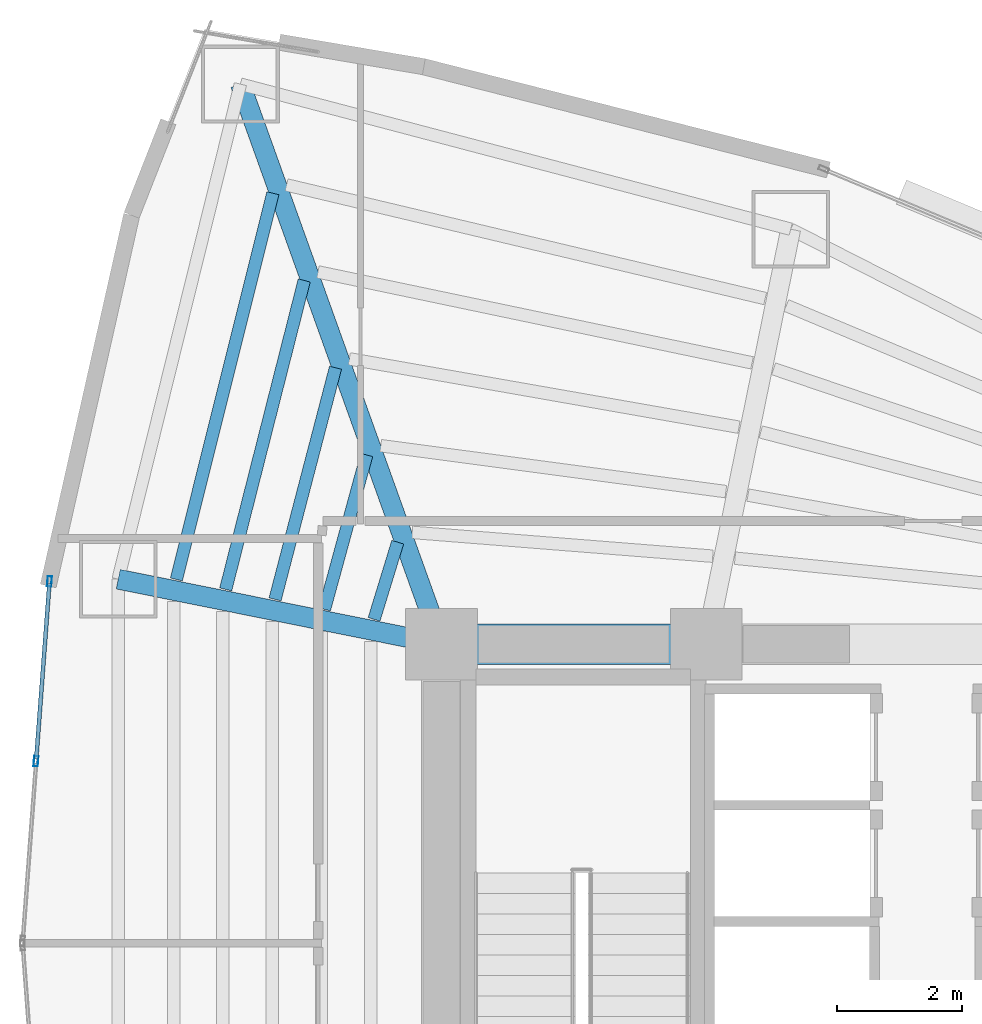
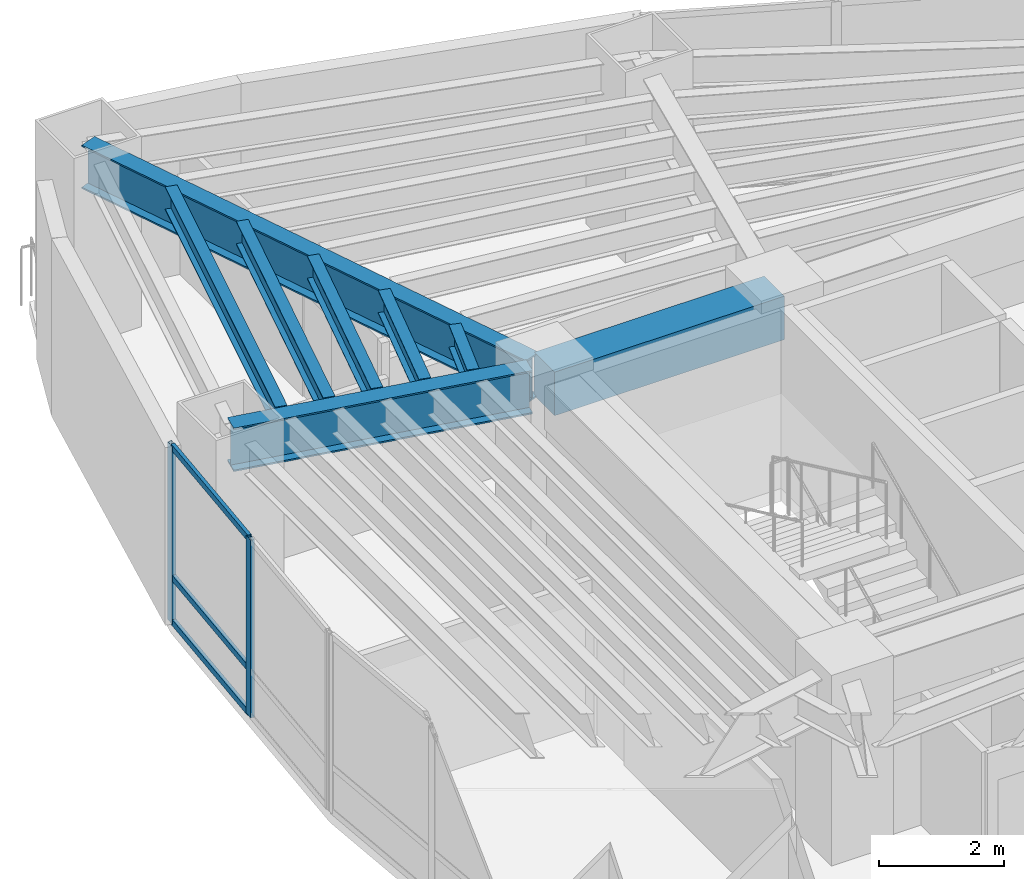
# One storey, part 7 of 16: 8 beams, 5 members, 1 element without a shape of its own.
"""IFC4 building model written with IfcOpenShell, lengths in metres."""

from ifc_helpers import new_model, si_unit, direction, frame, origin, origin_2d, place, context, subcontext, project, spatial, rectangle, hollow_rectangle, i_section, extrude, material, layer, layer_set, material_profile, profile_set, type_object, element, aggregate, save


model = new_model("IFC4")

# Units and contexts
model_context = context("Model", 3, precision=1e-05, world=origin(), true_north=direction((0.0, 1.0)))
body_context = subcontext(model_context, "Body", "Model", "MODEL_VIEW")
ifc_project = project(units=[si_unit("LENGTHUNIT", "METRE"), si_unit("AREAUNIT", "SQUARE_METRE"), si_unit("VOLUMEUNIT", "CUBIC_METRE"), si_unit("PLANEANGLEUNIT", "RADIAN"), si_unit("MASSUNIT", "GRAM", prefix="KILO")], contexts=[model_context])

# Site, building, storey
site_placement = place(None, origin())
site = spatial("IfcSite", under=ifc_project, at=site_placement, CompositionType="ELEMENT")
building_placement = place(site_placement, origin())
building = spatial("IfcBuilding", under=site, at=building_placement, Name="Menara Vayukalpa", CompositionType="ELEMENT")
storey_placement = place(building_placement, frame((0.0, 0.0, 75.9599609375)))
storey = spatial("IfcBuildingStorey", under=building, at=storey_placement, Name="L18", CompositionType="ELEMENT", Elevation=75.9599609375)

# Beams
ifc_material_1 = material(Name="Concrete C60/75", Category="concrete")
ifc_material_profile_1 = material_profile(ifc_material_1, rectangle(XDim=0.64990234375, YDim=0.85009765625, at=origin_2d()), Name="RC 650x850")
ifc_profile_set_1 = profile_set([ifc_material_profile_1], Name="Concrete C60/75")
beam_type_1 = type_object("IfcBeamType", Name="BM-CB1", PredefinedType="BEAM", material=ifc_profile_set_1)
beam_1_placement = place(storey_placement, frame((17.800048828125, 26.800048828125, 3.044921875), z_axis=(1.0, 0.0, 0.0), x_axis=(0.0, 1.0, 0.0)))
element("IfcBeam", 1, at=beam_1_placement, inside=storey, type_object=beam_type_1, Name="L18 Core Tie Beam CBR4", PredefinedType="BEAM", context=body_context, shape_type="SweptSolid", body=[
    extrude(rectangle(XDim=0.64990234375, YDim=0.85009765625, at=origin_2d()), origin(), (0.0, 0.0, 1.0), 4.25),
])
ifc_material_2 = material(Name="Steel S355", Category="steel")
ifc_material_profile_2 = material_profile(ifc_material_2, i_section(OverallWidth=0.320068359375, OverallDepth=0.85009765625, WebThickness=0.01611328125, FlangeThickness=0.030029296875, at=origin_2d()), Name="WF 850x320x16x30")
ifc_profile_set_2 = profile_set([ifc_material_profile_2], Name="Steel S355")
beam_type_2 = type_object("IfcBeamType", Name="BM-PG2", PredefinedType="BEAM", material=ifc_profile_set_2)
beam_2_placement = place(storey_placement, frame((17.715576171875, 27.035400390625, 3.044921875), z_axis=(-0.337975542909, 0.941154892882, 0.0), x_axis=(-0.941154892882, -0.337975542909, 0.0)))
element("IfcBeam", 2, at=beam_2_placement, inside=storey, type_object=beam_type_2, Name="L18 Primary Radial Girder RG04", PredefinedType="BEAM", context=body_context, shape_type="SweptSolid", body=[
    extrude(i_section(OverallWidth=0.320068359375, OverallDepth=0.85009765625, WebThickness=0.01611328125, FlangeThickness=0.030029296875, at=origin_2d()), origin(), (0.0, 0.0, 1.0), 9.309814453125),
])
beam_3_placement = place(storey_placement, frame((17.554931640625, 26.849365234375, 3.044921875), z_axis=(-0.980324984906, 0.197390283373, 0.0), x_axis=(-0.197390283373, -0.980324984906, 0.0)))
element("IfcBeam", 3, at=beam_3_placement, inside=storey, type_object=beam_type_2, Name="L18 Primary Radial Girder RG05", PredefinedType="BEAM", context=body_context, shape_type="SweptSolid", body=[
    extrude(i_section(OverallWidth=0.320068359375, OverallDepth=0.85009765625, WebThickness=0.01611328125, FlangeThickness=0.030029296875, at=origin_2d()), origin(), (0.0, 0.0, 1.0), 5.047607421875),
])
ifc_material_3 = material(Name="Steel S355", Category="steel")
ifc_material_profile_3 = material_profile(ifc_material_3, i_section(OverallWidth=0.199951171875, OverallDepth=0.449951171875, WebThickness=0.009033203125, FlangeThickness=0.013916015625, at=origin_2d()), Name="WF 450x200x9x14")
ifc_profile_set_3 = profile_set([ifc_material_profile_3], Name="Steel S355")
beam_type_3 = type_object("IfcBeamType", Name="BM-SJ1", PredefinedType="JOIST", material=ifc_profile_set_3)
beam_4_placement = place(storey_placement, frame((17.096435546875, 28.4404296875, 3.2451171875), z_axis=(-0.292802109412, -0.95617306212, 0.0), x_axis=(0.95617306212, -0.292802109412, 0.0)))
element("IfcBeam", 4, at=beam_4_placement, inside=storey, type_object=beam_type_3, Name="L18 Secondary Floor Joist SJ04-1", PredefinedType="JOIST", context=body_context, shape_type="SweptSolid", body=[
    extrude(i_section(OverallWidth=0.199951171875, OverallDepth=0.449951171875, WebThickness=0.009033203125, FlangeThickness=0.013916015625, at=origin_2d()), origin(), (0.0, 0.0, 1.0), 1.296630859375),
])
beam_5_placement = place(storey_placement, frame((16.59814453125, 29.8408203125, 3.2451171875), z_axis=(-0.263888952397, -0.964553067904, 0.0), x_axis=(0.964553067904, -0.263888952397, 0.0)))
element("IfcBeam", 5, at=beam_5_placement, inside=storey, type_object=beam_type_3, Name="L18 Secondary Floor Joist SJ04-2", PredefinedType="JOIST", context=body_context, shape_type="SweptSolid", body=[
    extrude(i_section(OverallWidth=0.199951171875, OverallDepth=0.449951171875, WebThickness=0.009033203125, FlangeThickness=0.013916015625, at=origin_2d()), origin(), (0.0, 0.0, 1.0), 2.570068359375),
])
beam_6_placement = place(storey_placement, frame((16.096923828125, 31.2421875, 3.2451171875), z_axis=(-0.252458083783, -0.967607831682, 0.0), x_axis=(0.967607831682, -0.252458083783, 0.0)))
element("IfcBeam", 6, at=beam_6_placement, inside=storey, type_object=beam_type_3, Name="L18 Secondary Floor Joist SJ04-3", PredefinedType="JOIST", context=body_context, shape_type="SweptSolid", body=[
    extrude(i_section(OverallWidth=0.199951171875, OverallDepth=0.449951171875, WebThickness=0.009033203125, FlangeThickness=0.013916015625, at=origin_2d()), origin(), (0.0, 0.0, 1.0), 3.844970703125),
])
beam_7_placement = place(storey_placement, frame((15.594482421875, 32.643798828125, 3.2451171875), z_axis=(-0.246281114503, -0.969198438215, 0.0), x_axis=(0.969198438215, -0.246281114503, 0.0)))
element("IfcBeam", 7, at=beam_7_placement, inside=storey, type_object=beam_type_3, Name="L18 Secondary Floor Joist SJ04-4", PredefinedType="JOIST", context=body_context, shape_type="SweptSolid", body=[
    extrude(i_section(OverallWidth=0.199951171875, OverallDepth=0.449951171875, WebThickness=0.009033203125, FlangeThickness=0.013916015625, at=origin_2d()), origin(), (0.0, 0.0, 1.0), 5.1201171875),
])
beam_8_placement = place(storey_placement, frame((15.091796875, 34.045654296875, 3.2451171875), z_axis=(-0.242481731849, -0.970155971852, 0.0), x_axis=(0.970155971852, -0.242481731849, 0.0)))
element("IfcBeam", 8, at=beam_8_placement, inside=storey, type_object=beam_type_3, Name="L18 Secondary Floor Joist SJ04-5", PredefinedType="JOIST", context=body_context, shape_type="SweptSolid", body=[
    extrude(i_section(OverallWidth=0.199951171875, OverallDepth=0.449951171875, WebThickness=0.009033203125, FlangeThickness=0.013916015625, at=origin_2d()), origin(), (0.0, 0.0, 1.0), 6.3955078125),
])

# Curtain wall, members
ifc_material_4 = material(Name="Anodised Terracotta Aluminium Alloy 6063-T6", Category="masonry")
ifc_layer = layer(ifc_material_4, 0.1650390625)
ifc_layer_set = layer_set([ifc_layer], Name="Anodised Terracotta Aluminium Alloy 6063-T6")
curtain_wall_type = type_object("IfcCurtainWallType", Name="CW-CW2", PredefinedType="USERDEFINED", material=ifc_layer_set)
curtain_wall_placement = place(storey_placement, origin())
curtain_wall = element("IfcCurtainWall", 9, at=curtain_wall_placement, inside=storey, type_object=curtain_wall_type, Name="L18 Low Rise Terracotta Ribbon Curtain Wall CW2 10", ObjectType="UNITISED", PredefinedType="USERDEFINED")
ifc_material_5 = material(Name="Anodised Terracotta Aluminium Alloy 6063-T6", Category="masonry")
ifc_material_profile_4 = material_profile(ifc_material_5, hollow_rectangle(XDim=0.070068359375, YDim=0.1650390625, WallThickness=0.00390625, at=origin_2d()), Name="ALU 70x165x4")
ifc_profile_set_4 = profile_set([ifc_material_profile_4], Name="Anodised Terracotta Aluminium Alloy 6063-T6")
member_type_1 = type_object("IfcMemberType", Name="CWM-CW2", PredefinedType="MULLION", material=ifc_profile_set_4)
member_1_placement = place(storey_placement, frame((11.50390625, 27.810791015625, 0.0), z_axis=(0.0, 0.0, 1.0), x_axis=(0.997199659745, -0.07478528334, 0.0)))
member_1 = element("IfcMember", 10, at=member_1_placement, type_object=member_type_1, Name="CW2 mullion 1", PredefinedType="MULLION", context=body_context, shape_type="SweptSolid", body=[
    extrude(hollow_rectangle(XDim=0.070068359375, YDim=0.1650390625, WallThickness=0.00390625, at=origin_2d()), origin(), (0.0, 0.0, 1.0), 3.469970703125),
])
member_2_placement = place(storey_placement, frame((11.287353515625, 24.9228515625, 0.0), z_axis=(0.0, 0.0, 1.0), x_axis=(0.997199659745, -0.07478528334, 0.0)))
member_2 = element("IfcMember", 11, at=member_2_placement, type_object=member_type_1, Name="CW2 mullion 2", PredefinedType="MULLION", context=body_context, shape_type="SweptSolid", body=[
    extrude(hollow_rectangle(XDim=0.070068359375, YDim=0.1650390625, WallThickness=0.00390625, at=origin_2d()), origin(), (0.0, 0.0, 1.0), 3.469970703125),
])
ifc_material_6 = material(Name="Anodised Terracotta Aluminium Alloy 6063-T6", Category="masonry")
ifc_material_profile_5 = material_profile(ifc_material_6, hollow_rectangle(XDim=0.06494140625, YDim=0.1201171875, WallThickness=0.00341796875, at=origin_2d()), Name="ALU 65x120x3.5")
ifc_profile_set_5 = profile_set([ifc_material_profile_5], Name="Anodised Terracotta Aluminium Alloy 6063-T6")
member_type_2 = type_object("IfcMemberType", Name="CWT-CW2", PredefinedType="USERDEFINED", material=ifc_profile_set_5)
member_3_placement = place(storey_placement, frame((11.50146484375, 27.77587890625, 0.032470703125), z_axis=(-0.074813572531, -0.997197537785, 0.0), x_axis=(0.997197537785, -0.074813572531, 0.0)))
member_3 = element("IfcMember", 12, at=member_3_placement, type_object=member_type_2, Name="CW2 transom 1.1", ObjectType="TRANSOM", PredefinedType="USERDEFINED", context=body_context, shape_type="SweptSolid", body=[
    extrude(hollow_rectangle(XDim=0.06494140625, YDim=0.1201171875, WallThickness=0.00341796875, at=origin_2d()), origin(), (0.0, 0.0, 1.0), 2.825927734375),
])
member_4_placement = place(storey_placement, frame((11.50146484375, 27.77587890625, 0.900146484375), z_axis=(-0.074813572531, -0.997197537785, 0.0), x_axis=(0.997197537785, -0.074813572531, 0.0)))
member_4 = element("IfcMember", 13, at=member_4_placement, type_object=member_type_2, Name="CW2 transom 1.2", ObjectType="TRANSOM", PredefinedType="USERDEFINED", context=body_context, shape_type="SweptSolid", body=[
    extrude(hollow_rectangle(XDim=0.06494140625, YDim=0.1201171875, WallThickness=0.00341796875, at=origin_2d()), origin(), (0.0, 0.0, 1.0), 2.825927734375),
])
member_5_placement = place(storey_placement, frame((11.50146484375, 27.77587890625, 3.4375), z_axis=(-0.074813572531, -0.997197537785, 0.0), x_axis=(0.997197537785, -0.074813572531, 0.0)))
member_5 = element("IfcMember", 14, at=member_5_placement, type_object=member_type_2, Name="CW2 transom 1.3", ObjectType="TRANSOM", PredefinedType="USERDEFINED", context=body_context, shape_type="SweptSolid", body=[
    extrude(hollow_rectangle(XDim=0.06494140625, YDim=0.1201171875, WallThickness=0.00341796875, at=origin_2d()), origin(), (0.0, 0.0, 1.0), 2.825927734375),
])
aggregate(curtain_wall, [member_1, member_2, member_3, member_4, member_5])

save(model, "model.ifc")
